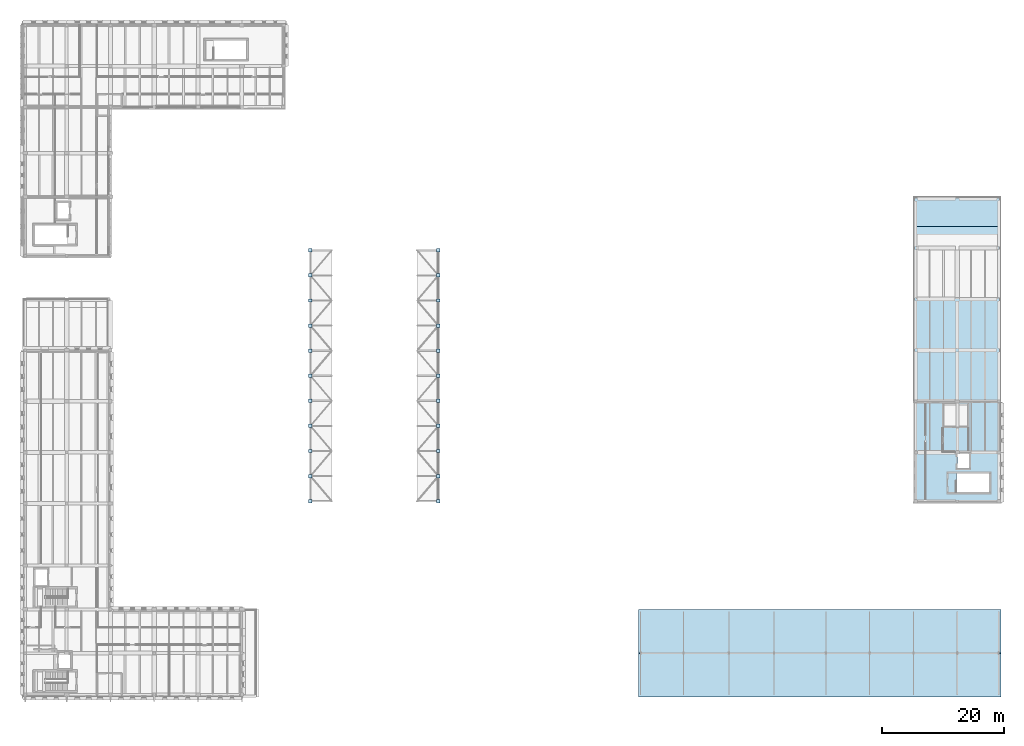
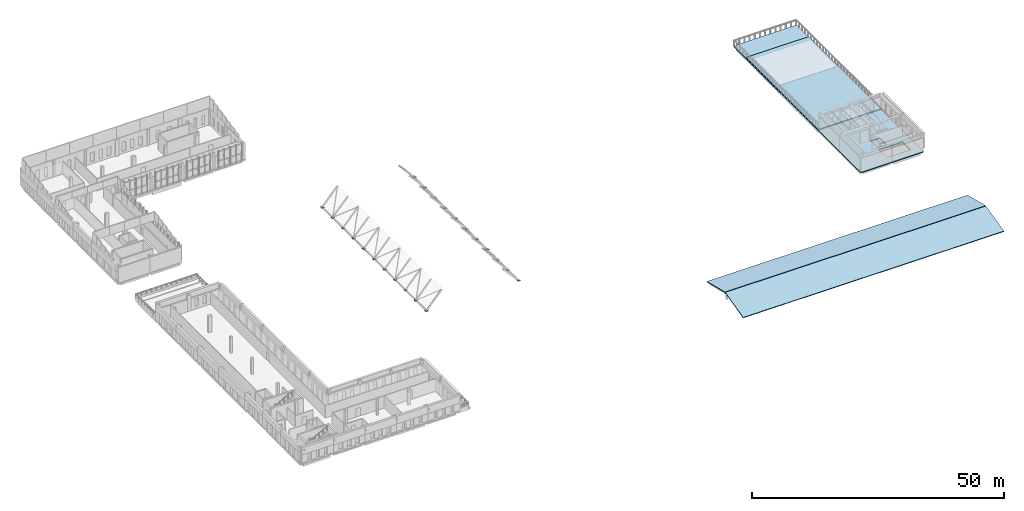
# One storey, part 18 of 34: 22 plates, 5 slabs.
"""IFC4 building model written with IfcOpenShell, lengths in metres."""

from ifc_helpers import new_model, si_unit, direction, frame, origin, origin_2d, place, context, subcontext, project, spatial, polyline, rectangle, outline, extrude, material, layer, layer_set, type_object, element, save


model = new_model("IFC4")

# Units and contexts
model_context = context("Model", 3, precision=1e-05, world=origin(), true_north=direction((0.0, 1.0)))
body_context = subcontext(model_context, "Body", "Model", "MODEL_VIEW")
ifc_project = project(units=[si_unit("LENGTHUNIT", "METRE"), si_unit("AREAUNIT", "SQUARE_METRE"), si_unit("VOLUMEUNIT", "CUBIC_METRE"), si_unit("PLANEANGLEUNIT", "RADIAN"), si_unit("MASSUNIT", "GRAM", prefix="KILO")], contexts=[model_context])

# Site, building, storey
site_placement = place(None, origin())
site = spatial("IfcSite", under=ifc_project, at=site_placement, CompositionType="ELEMENT")
building_placement = place(site_placement, origin())
building = spatial("IfcBuilding", under=site, at=building_placement, Name="Vardoun Plaza Health Centre", CompositionType="ELEMENT")
storey_placement = place(building_placement, frame((0.0, 0.0, 12.89990234375)))
storey = spatial("IfcBuildingStorey", under=building, at=storey_placement, Name="L03", CompositionType="ELEMENT", Elevation=12.89990234375)

# Plates
ifc_material_1 = material(Name="Steel S355J2", Category="steel")
ifc_layer_1 = layer(ifc_material_1, 0.031982421875)
ifc_layer_set_1 = layer_set([ifc_layer_1], Name="Steel S355J2")
plate_type = type_object("IfcPlateType", Name="NP-02", PredefinedType="USERDEFINED", material=ifc_layer_set_1)
for number, where, z_axis, x_axis, name in (
    (1, (51.764892578125, 36.679931640625, 0.99658203125), (0.0, 0.0, 1.0), (1.0, 0.0, 0.0), "Gridshell Star Node Plate GN-01-02"),
    (2, (72.794921875, 36.679931640625, 0.99658203125), (0.0, 0.0, 1.0), (1.0, 0.0, 0.0), "Gridshell Star Node Plate GN-01-08"),
    (3, (51.764892578125, 40.803955078125, 0.99658203125), (0.0, 0.0, 1.0), (1.0, 0.0, 0.0), "Gridshell Star Node Plate GN-02-02"),
    (4, (72.794921875, 40.803955078125, 0.99658203125), (0.0, 0.0, 1.0), (1.0, 0.0, 0.0), "Gridshell Star Node Plate GN-02-08"),
    (5, (51.764892578125, 44.927978515625, 0.99658203125), (0.0, 0.0, 1.0), (1.0, 0.0, 0.0), "Gridshell Star Node Plate GN-03-02"),
    (6, (72.794921875, 44.927978515625, 0.99658203125), (0.0, 0.0, 1.0), (1.0, 0.0, 0.0), "Gridshell Star Node Plate GN-03-08"),
    (7, (51.764892578125, 49.052001953125, 0.99658203125), (0.0, 0.0, 1.0), (1.0, 0.0, 0.0), "Gridshell Star Node Plate GN-04-02"),
    (8, (72.794921875, 49.052001953125, 0.99658203125), (0.0, 0.0, 1.0), (1.0, 0.0, 0.0), "Gridshell Star Node Plate GN-04-08"),
    (9, (51.764892578125, 53.176025390625, 0.99658203125), (0.0, 0.0, 1.0), (1.0, 0.0, 0.0), "Gridshell Star Node Plate GN-05-02"),
    (10, (72.794921875, 53.176025390625, 0.99658203125), (0.0, 0.0, 1.0), (1.0, 0.0, 0.0), "Gridshell Star Node Plate GN-05-08"),
    (11, (51.764892578125, 57.300048828125, 0.99658203125), (0.0, 0.0, 1.0), (1.0, 0.0, 0.0), "Gridshell Star Node Plate GN-06-02"),
    (12, (72.794921875, 57.300048828125, 0.99658203125), (0.0, 0.0, 1.0), (1.0, 0.0, 0.0), "Gridshell Star Node Plate GN-06-08"),
    (13, (51.764892578125, 61.424072265625, 0.99658203125), (0.0, 0.0, 1.0), (1.0, 0.0, 0.0), "Gridshell Star Node Plate GN-07-02"),
    (14, (72.794921875, 61.424072265625, 0.99658203125), (0.0, 0.0, 1.0), (1.0, 0.0, 0.0), "Gridshell Star Node Plate GN-07-08"),
    (15, (51.764892578125, 65.548095703125, 0.99658203125), (0.0, 0.0, 1.0), (1.0, 0.0, 0.0), "Gridshell Star Node Plate GN-08-02"),
    (16, (72.794921875, 65.548095703125, 0.99658203125), (0.0, 0.0, 1.0), (1.0, 0.0, 0.0), "Gridshell Star Node Plate GN-08-08"),
    (17, (51.764892578125, 69.672119140625, 0.99658203125), (0.0, 0.0, 1.0), (1.0, 0.0, 0.0), "Gridshell Star Node Plate GN-09-02"),
    (18, (72.794921875, 69.672119140625, 0.99658203125), (0.0, 0.0, 1.0), (1.0, 0.0, 0.0), "Gridshell Star Node Plate GN-09-08"),
    (19, (51.764892578125, 73.7958984375, 0.99658203125), (0.0, 0.0, 1.0), (1.0, 0.0, 0.0), "Gridshell Star Node Plate GN-10-02"),
    (20, (72.794921875, 73.7958984375, 0.99658203125), (0.0, 0.0, 1.0), (1.0, 0.0, 0.0), "Gridshell Star Node Plate GN-10-08"),
    (21, (51.764892578125, 77.919921875, 0.99658203125), (0.0, 0.0, 1.0), (1.0, 0.0, 0.0), "Gridshell Star Node Plate GN-11-02"),
    (22, (72.794921875, 77.919921875, 0.99658203125), (0.0, 0.0, 1.0), (1.0, 0.0, 0.0), "Gridshell Star Node Plate GN-11-08"),
):
    element("IfcPlate", number, at=place(storey_placement, frame(where, z_axis=z_axis, x_axis=x_axis)), inside=storey, type_object=plate_type, Name=name, ObjectType="GUSSET_PLATE", PredefinedType="USERDEFINED", context=body_context, shape_type="SweptSolid", body=[
        extrude(rectangle(XDim=0.56005859375, YDim=0.56005859375, at=origin_2d()), origin(), (0.0, 0.0, 1.0), 0.031982421875),
    ])

# Slabs
ifc_material_2 = material(Name="Pale Limestone Concrete C35/45", Category="masonry")
ifc_layer_2 = layer(ifc_material_2, 0.239990234375)
ifc_layer_set_2 = layer_set([ifc_layer_2], Name="Pale Limestone Concrete C35/45")
slab_type_1 = type_object("IfcSlabType", Name="RF-01", PredefinedType="ROOF", material=ifc_layer_set_2)
slab_1_placement = place(storey_placement, frame((0.0, 0.0, -0.239990234375)))
element("IfcSlab", 23, at=slab_1_placement, inside=storey, type_object=slab_type_1, Name="V6 Therapy Garden Structural Roof Slab", PredefinedType="ROOF", context=body_context, shape_type="SweptSolid", body=[
    extrude(outline(polyline([(150.89990234375, 53.10009765625), (165.300048828125, 53.10009765625), (165.300048828125, 86.699951171875), (150.89990234375, 86.699951171875), (150.89990234375, 53.10009765625)])), origin(), (0.0, 0.0, 1.0), 0.239990234375),
])
ifc_material_3 = material(Name="Pale Limestone Concrete C35/45", Category="masonry")
ifc_layer_3 = layer(ifc_material_3, 0.195068359375)
ifc_layer_set_3 = layer_set([ifc_layer_3], Name="Pale Limestone Concrete C35/45")
slab_type_2 = type_object("IfcSlabType", Name="RF-04", PredefinedType="ROOF", material=ifc_layer_set_3)
for number, where, z_axis, x_axis, name in (
    (24, (105.659912109375, 4.5, 0.0), (0.0, -0.236457403139, 0.971641856087), (1.0, 0.0, 0.0), "V5 Day-Surgery Folded Concrete Shell South"),
    (25, (105.659912109375, 11.75, 1.739990234375), (0.0, 0.236457403139, 0.971641856087), (1.0, 0.0, 0.0), "V5 Day-Surgery Folded Concrete Shell North"),
):
    element("IfcSlab", number, at=place(storey_placement, frame(where, z_axis=z_axis, x_axis=x_axis)), inside=storey, type_object=slab_type_2, Name=name, PredefinedType="ROOF", context=body_context, shape_type="SweptSolid", body=[
        extrude(outline(polyline([(0.0, 0.0), (59.64013671875, 0.0), (59.64013671875, 7.358577956431671), (0.0, 7.358577956431671), (0.0, 0.0)])), origin(), (0.0, 0.0, -1.0), 0.195068359375),
    ])
ifc_material_4 = material(Name="Concrete C35/45", Category="concrete")
ifc_layer_4 = layer(ifc_material_4, 0.25)
ifc_layer_set_4 = layer_set([ifc_layer_4], Name="Concrete C35/45")
slab_type_3 = type_object("IfcSlabType", Name="SL-01", PredefinedType="FLOOR", material=ifc_layer_set_4)
slab_2_placement = place(storey_placement, frame((0.0, 0.0, -0.25)))
element("IfcSlab", 26, at=slab_2_placement, inside=storey, type_object=slab_type_3, Name="V6 L03 Structural Slab", PredefinedType="FLOOR", context=body_context, shape_type="SweptSolid", body=[
    extrude(outline(polyline([(150.89990234375, 36.300048828125), (165.300048828125, 36.300048828125), (165.300048828125, 53.10009765625), (150.89990234375, 53.10009765625), (150.89990234375, 36.300048828125)]), holes=[polyline([(157.95068359375, 38.14990234375), (163.35009765625, 38.14990234375), (163.35009765625, 41.25), (157.95068359375, 41.25), (157.95068359375, 38.14990234375)]), polyline([(158.1201171875, 42.070068359375), (160.080078125, 42.070068359375), (160.080078125, 44.72998046875), (158.1201171875, 44.72998046875), (158.1201171875, 42.070068359375)])]), origin(), (0.0, 0.0, 1.0), 0.25),
])
ifc_material_5 = material(Name="Pale Limestone Concrete C35/45", Category="masonry")
ifc_layer_5 = layer(ifc_material_5, 0.175048828125)
ifc_layer_set_5 = layer_set([ifc_layer_5], Name="Pale Limestone Concrete C35/45")
slab_type_4 = type_object("IfcSlabType", Name="SL-T3", PredefinedType="FLOOR", material=ifc_layer_set_5)
slab_3_placement = place(storey_placement, origin())
element("IfcSlab", 27, at=slab_3_placement, inside=storey, type_object=slab_type_4, Name="V6 Planted Therapy Roof-Garden Deck", PredefinedType="FLOOR", context=body_context, shape_type="SweptSolid", body=[
    extrude(outline(polyline([(150.89990234375, 53.10009765625), (165.300048828125, 53.10009765625), (165.300048828125, 81.800048828125), (150.89990234375, 81.800048828125), (150.89990234375, 53.10009765625)])), origin(), (0.0, 0.0, 1.0), 0.175048828125),
])

save(model, "model.ifc")
